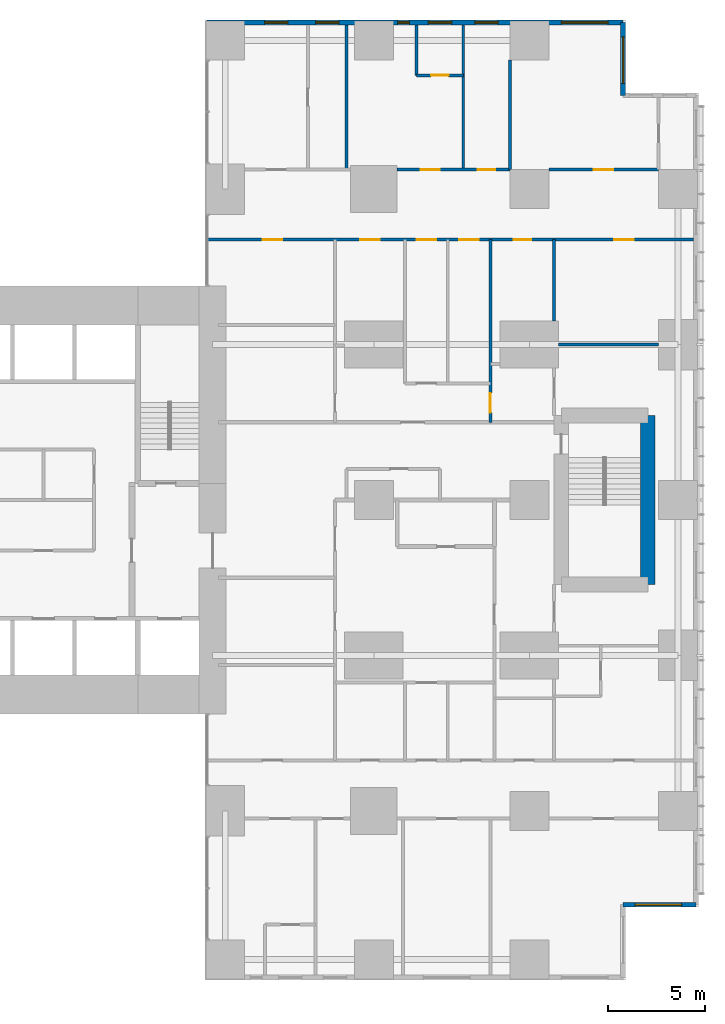
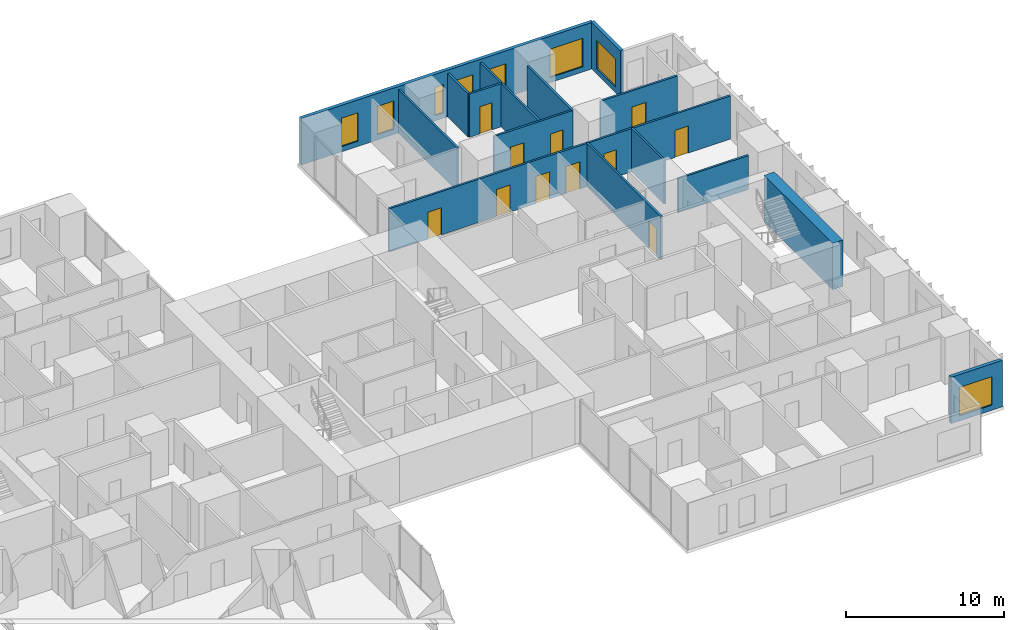
# One storey, part 18 of 20: 15 walls, 11 doors, 8 windows, 19 openings.
"""IFC4 building model written with IfcOpenShell, lengths in metres."""

from ifc_helpers import new_model, si_unit, direction, frame, frame_2d, origin, place, context, subcontext, project, spatial, rectangle, extrude, material, layer, layer_set, type_object, element, fill, save


model = new_model("IFC4")

# Units and contexts
model_context = context("Model", 3, precision=1e-05, world=origin(), true_north=direction((0.0, 1.0)))
body_context = subcontext(model_context, "Body", "Model", "MODEL_VIEW")
ifc_project = project(units=[si_unit("LENGTHUNIT", "METRE"), si_unit("AREAUNIT", "SQUARE_METRE"), si_unit("VOLUMEUNIT", "CUBIC_METRE"), si_unit("PLANEANGLEUNIT", "RADIAN"), si_unit("MASSUNIT", "GRAM", prefix="KILO")], contexts=[model_context])

# Site, building, storey
site_placement = place(None, origin())
site = spatial("IfcSite", under=ifc_project, at=site_placement, CompositionType="ELEMENT")
building_placement = place(site_placement, origin())
building = spatial("IfcBuilding", under=site, at=building_placement, Name="Cleftline Residences", CompositionType="ELEMENT")
storey_placement = place(building_placement, frame((0.0, 0.0, 107.0)))
storey = spatial("IfcBuildingStorey", under=building, at=storey_placement, Name="L27", CompositionType="ELEMENT", Elevation=107.0)

# Wall, opening, window
ifc_material_1 = material(Name="Rendered reinforced concrete blockwork", Category="masonry")
ifc_layer_1 = layer(ifc_material_1, 0.25)
ifc_layer_set_1 = layer_set([ifc_layer_1], Name="EXTERNAL WALL 250")
wall_type_1 = type_object("IfcWallType", Name="EXTERNAL WALL 250", PredefinedType="SOLIDWALL", material=ifc_layer_set_1)
wall_1_placement = place(storey_placement, frame((62.824951171875, 3.175048828125, 0.0), z_axis=(0.0, 0.0, 1.0), x_axis=(1.0, 0.0, 0.0)))
wall_1 = element("IfcWall", 1, at=wall_1_placement, inside=storey, type_object=wall_type_1, Name="External wall", PredefinedType="SOLIDWALL", context=body_context, shape_type="SweptSolid", body=[
    extrude(rectangle(XDim=3.75, YDim=0.25, at=frame_2d((1.875, 0.0))), origin(), (0.0, 0.0, 1.0), 3.60009765625),
])
opening_1_placement = place(wall_1_placement, frame((0.612548828125, 0.0, 0.39990234375)))
opening_1 = element("IfcOpeningElement", 2, at=opening_1_placement, cuts=wall_1, Name="Opening W12", PredefinedType="OPENING", context=body_context, shape_type="SweptSolid", body=[
    extrude(rectangle(XDim=2.39990234375, YDim=2.199951171875, at=frame_2d((1.199951171875, 1.10009765625))), frame((0.0, 0.135009765625, 0.0), z_axis=(0.0, -1.0, 0.0), x_axis=(1.0, 0.0, 0.0)), (0.0, 0.0, 1.0), 0.27001953125),
])
ifc_material_2 = material(Name="Aluminium frame, clear double glazing", Category="aluminium")
window_type_1 = type_object("IfcWindowType", Name="WINDOW 2400X2200", PartitioningType="DOUBLE_PANEL_VERTICAL", PredefinedType="WINDOW", material=ifc_material_2)
window_1_placement = place(opening_1_placement, origin())
window_1 = element("IfcWindow", 3, at=window_1_placement, inside=storey, type_object=window_type_1, Name="Window", OverallHeight=2.199951171875, OverallWidth=2.39990234375, PartitioningType="SINGLE_PANEL", PredefinedType="WINDOW", context=body_context, shape_type="SweptSolid", body=[
    extrude(rectangle(XDim=2.39990234375, YDim=2.199951171875, at=frame_2d((1.199951171875, 1.10009765625))), frame((0.0, 0.030029296875, 0.0), z_axis=(0.0, -1.0, 0.0), x_axis=(1.0, 0.0, 0.0)), (0.0, 0.0, 1.0), 0.06005859375),
])
fill(opening_1, window_1)

wall_2_placement = place(storey_placement, frame((62.824951171875, 44.824951171875, 0.0), z_axis=(0.0, 0.0, 1.0), x_axis=(0.0, 1.0, 0.0)))
wall_2 = element("IfcWall", 4, at=wall_2_placement, inside=storey, type_object=wall_type_1, Name="External wall", PredefinedType="SOLIDWALL", context=body_context, shape_type="SweptSolid", body=[
    extrude(rectangle(XDim=3.75, YDim=0.25, at=frame_2d((1.875, 0.0))), origin(), (0.0, 0.0, 1.0), 3.60009765625),
])
opening_2_placement = place(wall_2_placement, frame((0.612548828125, 0.0, 0.39990234375)))
opening_2 = element("IfcOpeningElement", 5, at=opening_2_placement, cuts=wall_2, Name="Opening W12", PredefinedType="OPENING", context=body_context, shape_type="SweptSolid", body=[
    extrude(rectangle(XDim=2.39990234375, YDim=2.199951171875, at=frame_2d((1.199951171875, 1.10009765625))), frame((0.0, 0.135009765625, 0.0), z_axis=(0.0, -1.0, 0.0), x_axis=(1.0, 0.0, 0.0)), (0.0, 0.0, 1.0), 0.27001953125),
])
window_2_placement = place(opening_2_placement, origin())
window_2 = element("IfcWindow", 6, at=window_2_placement, inside=storey, type_object=window_type_1, Name="Window", OverallHeight=2.199951171875, OverallWidth=2.39990234375, PartitioningType="SINGLE_PANEL", PredefinedType="WINDOW", context=body_context, shape_type="SweptSolid", body=[
    extrude(rectangle(XDim=2.39990234375, YDim=2.199951171875, at=frame_2d((1.199951171875, 1.10009765625))), frame((0.0, 0.030029296875, 0.0), z_axis=(0.0, -1.0, 0.0), x_axis=(1.0, 0.0, 0.0)), (0.0, 0.0, 1.0), 0.06005859375),
])
fill(opening_2, window_2)

# Wall, openings, windows
wall_3_placement = place(storey_placement, frame((62.824951171875, 48.574951171875, 0.0), z_axis=(0.0, 0.0, 1.0), x_axis=(-1.0, 0.0, 0.0)))
wall_3 = element("IfcWall", 7, at=wall_3_placement, inside=storey, type_object=wall_type_1, Name="External wall", PredefinedType="SOLIDWALL", context=body_context, shape_type="SweptSolid", body=[
    extrude(rectangle(XDim=21.39990234375, YDim=0.25, at=frame_2d((10.699951171875, 0.0))), origin(), (0.0, 0.0, 1.0), 3.60009765625),
])
opening_3_placement = place(wall_3_placement, frame((0.77490234375, 0.0, 0.39990234375)))
opening_3 = element("IfcOpeningElement", 8, at=opening_3_placement, cuts=wall_3, Name="Opening W12", PredefinedType="OPENING", context=body_context, shape_type="SweptSolid", body=[
    extrude(rectangle(XDim=2.39990234375, YDim=2.199951171875, at=frame_2d((1.199951171875, 1.10009765625))), frame((0.0, 0.135009765625, 0.0), z_axis=(0.0, -1.0, 0.0), x_axis=(1.0, 0.0, 0.0)), (0.0, 0.0, 1.0), 0.27001953125),
])
opening_4_placement = place(wall_3_placement, frame((6.425048828125, 0.0, 0.39990234375)))
opening_4 = element("IfcOpeningElement", 9, at=opening_4_placement, cuts=wall_3, Name="Opening W11", PredefinedType="OPENING", context=body_context, shape_type="SweptSolid", body=[
    extrude(rectangle(XDim=1.199951171875, YDim=2.199951171875, at=frame_2d((0.60009765625, 1.10009765625))), frame((0.0, 0.135009765625, 0.0), z_axis=(0.0, -1.0, 0.0), x_axis=(1.0, 0.0, 0.0)), (0.0, 0.0, 1.0), 0.27001953125),
])
opening_5_placement = place(wall_3_placement, frame((8.824951171875, 0.0, 0.39990234375)))
opening_5 = element("IfcOpeningElement", 10, at=opening_5_placement, cuts=wall_3, Name="Opening W11", PredefinedType="OPENING", context=body_context, shape_type="SweptSolid", body=[
    extrude(rectangle(XDim=1.199951171875, YDim=2.199951171875, at=frame_2d((0.60009765625, 1.10009765625))), frame((0.0, 0.135009765625, 0.0), z_axis=(0.0, -1.0, 0.0), x_axis=(1.0, 0.0, 0.0)), (0.0, 0.0, 1.0), 0.27001953125),
])
opening_6_placement = place(wall_3_placement, frame((11.0, 0.0, 0.39990234375)))
opening_6 = element("IfcOpeningElement", 11, at=opening_6_placement, cuts=wall_3, Name="Opening W10", PredefinedType="OPENING", context=body_context, shape_type="SweptSolid", body=[
    extrude(rectangle(XDim=0.60009765625, YDim=2.199951171875, at=frame_2d((0.300048828125, 1.10009765625))), frame((0.0, 0.135009765625, 0.0), z_axis=(0.0, -1.0, 0.0), x_axis=(1.0, 0.0, 0.0)), (0.0, 0.0, 1.0), 0.27001953125),
])
opening_7_placement = place(wall_3_placement, frame((14.625, 0.0, 0.39990234375)))
opening_7 = element("IfcOpeningElement", 12, at=opening_7_placement, cuts=wall_3, Name="Opening W11", PredefinedType="OPENING", context=body_context, shape_type="SweptSolid", body=[
    extrude(rectangle(XDim=1.199951171875, YDim=2.199951171875, at=frame_2d((0.60009765625, 1.10009765625))), frame((0.0, 0.135009765625, 0.0), z_axis=(0.0, -1.0, 0.0), x_axis=(1.0, 0.0, 0.0)), (0.0, 0.0, 1.0), 0.27001953125),
])
opening_8_placement = place(wall_3_placement, frame((17.25, 0.0, 0.39990234375)))
opening_8 = element("IfcOpeningElement", 13, at=opening_8_placement, cuts=wall_3, Name="Opening W11", PredefinedType="OPENING", context=body_context, shape_type="SweptSolid", body=[
    extrude(rectangle(XDim=1.199951171875, YDim=2.199951171875, at=frame_2d((0.60009765625, 1.10009765625))), frame((0.0, 0.135009765625, 0.0), z_axis=(0.0, -1.0, 0.0), x_axis=(1.0, 0.0, 0.0)), (0.0, 0.0, 1.0), 0.27001953125),
])
ifc_material_3 = material(Name="Aluminium frame, clear double glazing", Category="aluminium")
window_type_2 = type_object("IfcWindowType", Name="WINDOW 1200X2200", PartitioningType="DOUBLE_PANEL_VERTICAL", PredefinedType="WINDOW", material=ifc_material_3)
window_3_placement = place(opening_4_placement, origin())
window_3 = element("IfcWindow", 14, at=window_3_placement, inside=storey, type_object=window_type_2, Name="Window", OverallHeight=2.199951171875, OverallWidth=1.199951171875, PartitioningType="SINGLE_PANEL", PredefinedType="WINDOW", context=body_context, shape_type="SweptSolid", body=[
    extrude(rectangle(XDim=1.199951171875, YDim=2.199951171875, at=frame_2d((0.60009765625, 1.10009765625))), frame((0.0, 0.030029296875, 0.0), z_axis=(0.0, -1.0, 0.0), x_axis=(1.0, 0.0, 0.0)), (0.0, 0.0, 1.0), 0.06005859375),
])
fill(opening_4, window_3)
window_4_placement = place(opening_5_placement, origin())
window_4 = element("IfcWindow", 15, at=window_4_placement, inside=storey, type_object=window_type_2, Name="Window", OverallHeight=2.199951171875, OverallWidth=1.199951171875, PartitioningType="SINGLE_PANEL", PredefinedType="WINDOW", context=body_context, shape_type="SweptSolid", body=[
    extrude(rectangle(XDim=1.199951171875, YDim=2.199951171875, at=frame_2d((0.60009765625, 1.10009765625))), frame((0.0, 0.030029296875, 0.0), z_axis=(0.0, -1.0, 0.0), x_axis=(1.0, 0.0, 0.0)), (0.0, 0.0, 1.0), 0.06005859375),
])
fill(opening_5, window_4)
window_5_placement = place(opening_7_placement, origin())
window_5 = element("IfcWindow", 16, at=window_5_placement, inside=storey, type_object=window_type_2, Name="Window", OverallHeight=2.199951171875, OverallWidth=1.199951171875, PartitioningType="SINGLE_PANEL", PredefinedType="WINDOW", context=body_context, shape_type="SweptSolid", body=[
    extrude(rectangle(XDim=1.199951171875, YDim=2.199951171875, at=frame_2d((0.60009765625, 1.10009765625))), frame((0.0, 0.030029296875, 0.0), z_axis=(0.0, -1.0, 0.0), x_axis=(1.0, 0.0, 0.0)), (0.0, 0.0, 1.0), 0.06005859375),
])
fill(opening_7, window_5)
window_6_placement = place(opening_8_placement, origin())
window_6 = element("IfcWindow", 17, at=window_6_placement, inside=storey, type_object=window_type_2, Name="Window", OverallHeight=2.199951171875, OverallWidth=1.199951171875, PartitioningType="SINGLE_PANEL", PredefinedType="WINDOW", context=body_context, shape_type="SweptSolid", body=[
    extrude(rectangle(XDim=1.199951171875, YDim=2.199951171875, at=frame_2d((0.60009765625, 1.10009765625))), frame((0.0, 0.030029296875, 0.0), z_axis=(0.0, -1.0, 0.0), x_axis=(1.0, 0.0, 0.0)), (0.0, 0.0, 1.0), 0.06005859375),
])
fill(opening_8, window_6)
window_7_placement = place(opening_3_placement, origin())
window_7 = element("IfcWindow", 18, at=window_7_placement, inside=storey, type_object=window_type_1, Name="Window", OverallHeight=2.199951171875, OverallWidth=2.39990234375, PartitioningType="SINGLE_PANEL", PredefinedType="WINDOW", context=body_context, shape_type="SweptSolid", body=[
    extrude(rectangle(XDim=2.39990234375, YDim=2.199951171875, at=frame_2d((1.199951171875, 1.10009765625))), frame((0.0, 0.030029296875, 0.0), z_axis=(0.0, -1.0, 0.0), x_axis=(1.0, 0.0, 0.0)), (0.0, 0.0, 1.0), 0.06005859375),
])
fill(opening_3, window_7)
ifc_material_4 = material(Name="Aluminium frame, clear double glazing", Category="aluminium")
window_type_3 = type_object("IfcWindowType", Name="WINDOW 600X2200", PartitioningType="DOUBLE_PANEL_VERTICAL", PredefinedType="WINDOW", material=ifc_material_4)
window_8_placement = place(opening_6_placement, origin())
window_8 = element("IfcWindow", 19, at=window_8_placement, inside=storey, type_object=window_type_3, Name="Window", OverallHeight=2.199951171875, OverallWidth=0.60009765625, PartitioningType="SINGLE_PANEL", PredefinedType="WINDOW", context=body_context, shape_type="SweptSolid", body=[
    extrude(rectangle(XDim=0.60009765625, YDim=2.199951171875, at=frame_2d((0.300048828125, 1.10009765625))), frame((0.0, 0.030029296875, 0.0), z_axis=(0.0, -1.0, 0.0), x_axis=(1.0, 0.0, 0.0)), (0.0, 0.0, 1.0), 0.06005859375),
])
fill(opening_6, window_8)

# Wall
ifc_material_5 = material(Name="Gypsum board on steel studs", Category="steel")
ifc_layer_2 = layer(ifc_material_5, 0.14990234375)
ifc_layer_set_2 = layer_set([ifc_layer_2], Name="PARTITION 150")
wall_type_2 = type_object("IfcWallType", Name="PARTITION 150", PredefinedType="PARTITIONING", material=ifc_layer_set_2)
wall_4_placement = place(storey_placement, frame((59.5, 32.0, 0.0), z_axis=(0.0, 0.0, 1.0), x_axis=(1.0, 0.0, 0.0)))
element("IfcWall", 20, at=wall_4_placement, inside=storey, type_object=wall_type_2, Name="Partition", PredefinedType="PARTITIONING", context=body_context, shape_type="SweptSolid", body=[
    extrude(rectangle(XDim=5.14990234375, YDim=0.14990234375, at=frame_2d((2.574951171875, 0.0))), origin(), (0.0, 0.0, 1.0), 2.634033203125),
])

# Wall, openings, doors
wall_5_placement = place(storey_placement, frame((41.43896484375, 37.39990234375, 0.0), z_axis=(0.0, 0.0, 1.0), x_axis=(1.0, 0.0, 0.0)))
wall_5 = element("IfcWall", 21, at=wall_5_placement, inside=storey, type_object=wall_type_2, Name="Partition", PredefinedType="PARTITIONING", context=body_context, shape_type="SweptSolid", body=[
    extrude(rectangle(XDim=25.010986328125, YDim=0.14990234375, at=frame_2d((12.50537109375, 0.0))), origin(), (0.0, 0.0, 1.0), 3.35009765625),
])
opening_9_placement = place(wall_5_placement, frame((10.760986328125, 0.0, 0.0)))
opening_9 = element("IfcOpeningElement", 22, at=opening_9_placement, cuts=wall_5, Name="Opening D2", PredefinedType="OPENING", context=body_context, shape_type="SweptSolid", body=[
    extrude(rectangle(XDim=1.0, YDim=2.10009765625, at=frame_2d((0.5, 1.050048828125))), frame((0.0, 0.0849609375, 0.0), z_axis=(0.0, -1.0, 0.0), x_axis=(1.0, 0.0, 0.0)), (0.0, 0.0, 1.0), 0.169921875),
])
opening_10_placement = place(wall_5_placement, frame((20.923583984375, 0.0, 0.0)))
opening_10 = element("IfcOpeningElement", 23, at=opening_10_placement, cuts=wall_5, Name="Opening D2", PredefinedType="OPENING", context=body_context, shape_type="SweptSolid", body=[
    extrude(rectangle(XDim=1.0, YDim=2.10009765625, at=frame_2d((0.5, 1.050048828125))), frame((0.0, 0.0849609375, 0.0), z_axis=(0.0, -1.0, 0.0), x_axis=(1.0, 0.0, 0.0)), (0.0, 0.0, 1.0), 0.169921875),
])
opening_11_placement = place(wall_5_placement, frame((15.74853515625, 0.0, 0.0)))
opening_11 = element("IfcOpeningElement", 24, at=opening_11_placement, cuts=wall_5, Name="Opening D1", PredefinedType="OPENING", context=body_context, shape_type="SweptSolid", body=[
    extrude(rectangle(XDim=0.89990234375, YDim=2.10009765625, at=frame_2d((0.449951171875, 1.050048828125))), frame((0.0, 0.0849609375, 0.0), z_axis=(0.0, -1.0, 0.0), x_axis=(1.0, 0.0, 0.0)), (0.0, 0.0, 1.0), 0.169921875),
])
opening_12_placement = place(wall_5_placement, frame((12.9609375, 0.0, 0.0)))
opening_12 = element("IfcOpeningElement", 25, at=opening_12_placement, cuts=wall_5, Name="Opening D2", PredefinedType="OPENING", context=body_context, shape_type="SweptSolid", body=[
    extrude(rectangle(XDim=1.0, YDim=2.10009765625, at=frame_2d((0.5, 1.050048828125))), frame((0.0, 0.0849609375, 0.0), z_axis=(0.0, -1.0, 0.0), x_axis=(1.0, 0.0, 0.0)), (0.0, 0.0, 1.0), 0.169921875),
])
opening_13_placement = place(wall_5_placement, frame((7.861083984375, 0.0, 0.0)))
opening_13 = element("IfcOpeningElement", 26, at=opening_13_placement, cuts=wall_5, Name="Opening D2", PredefinedType="OPENING", context=body_context, shape_type="SweptSolid", body=[
    extrude(rectangle(XDim=1.0, YDim=2.10009765625, at=frame_2d((0.5, 1.050048828125))), frame((0.0, 0.0849609375, 0.0), z_axis=(0.0, -1.0, 0.0), x_axis=(1.0, 0.0, 0.0)), (0.0, 0.0, 1.0), 0.169921875),
])
opening_14_placement = place(wall_5_placement, frame((2.8359375, 0.0, 0.0)))
opening_14 = element("IfcOpeningElement", 27, at=opening_14_placement, cuts=wall_5, Name="Opening D2", PredefinedType="OPENING", context=body_context, shape_type="SweptSolid", body=[
    extrude(rectangle(XDim=1.0, YDim=2.10009765625, at=frame_2d((0.5, 1.050048828125))), frame((0.0, 0.0849609375, 0.0), z_axis=(0.0, -1.0, 0.0), x_axis=(1.0, 0.0, 0.0)), (0.0, 0.0, 1.0), 0.169921875),
])
ifc_material_6 = material(Name="Timber veneer on solid core", Category="wood")
door_type_1 = type_object("IfcDoorType", Name="DOOR 1000X2100", OperationType="SINGLE_SWING_LEFT", PredefinedType="DOOR", material=ifc_material_6)
door_1_placement = place(opening_9_placement, origin())
door_1 = element("IfcDoor", 28, at=door_1_placement, inside=storey, type_object=door_type_1, Name="Door to residence hall", OperationType="SINGLE_SWING_RIGHT", OverallHeight=2.10009765625, OverallWidth=1.0, PredefinedType="DOOR", context=body_context, shape_type="SweptSolid", body=[
    extrude(rectangle(XDim=1.0, YDim=2.10009765625, at=frame_2d((0.5, 1.050048828125))), frame((0.0, 0.02490234375, 0.0), z_axis=(0.0, -1.0, 0.0), x_axis=(1.0, 0.0, 0.0)), (0.0, 0.0, 1.0), 0.050048828125),
])
fill(opening_9, door_1)
door_2_placement = place(opening_10_placement, origin())
door_2 = element("IfcDoor", 29, at=door_2_placement, inside=storey, type_object=door_type_1, Name="Door to sea-view living room", OperationType="SINGLE_SWING_LEFT", OverallHeight=2.10009765625, OverallWidth=1.0, PredefinedType="DOOR", context=body_context, shape_type="SweptSolid", body=[
    extrude(rectangle(XDim=1.0, YDim=2.10009765625, at=frame_2d((0.5, 1.050048828125))), frame((0.0, 0.02490234375, 0.0), z_axis=(0.0, -1.0, 0.0), x_axis=(1.0, 0.0, 0.0)), (0.0, 0.0, 1.0), 0.050048828125),
])
fill(opening_10, door_2)
door_3_placement = place(opening_12_placement, origin())
door_3 = element("IfcDoor", 30, at=door_3_placement, inside=storey, type_object=door_type_1, Name="Door to show kitchen", OperationType="SINGLE_SWING_LEFT", OverallHeight=2.10009765625, OverallWidth=1.0, PredefinedType="DOOR", context=body_context, shape_type="SweptSolid", body=[
    extrude(rectangle(XDim=1.0, YDim=2.10009765625, at=frame_2d((0.5, 1.050048828125))), frame((0.0, 0.02490234375, 0.0), z_axis=(0.0, -1.0, 0.0), x_axis=(1.0, 0.0, 0.0)), (0.0, 0.0, 1.0), 0.050048828125),
])
fill(opening_12, door_3)
door_4_placement = place(opening_13_placement, origin())
door_4 = element("IfcDoor", 31, at=door_4_placement, inside=storey, type_object=door_type_1, Name="Door to wet kitchen", OperationType="SINGLE_SWING_RIGHT", OverallHeight=2.10009765625, OverallWidth=1.0, PredefinedType="DOOR", context=body_context, shape_type="SweptSolid", body=[
    extrude(rectangle(XDim=1.0, YDim=2.10009765625, at=frame_2d((0.5, 1.050048828125))), frame((0.0, 0.02490234375, 0.0), z_axis=(0.0, -1.0, 0.0), x_axis=(1.0, 0.0, 0.0)), (0.0, 0.0, 1.0), 0.050048828125),
])
fill(opening_13, door_4)
door_5_placement = place(opening_14_placement, origin())
door_5 = element("IfcDoor", 32, at=door_5_placement, inside=storey, type_object=door_type_1, Name="Door to study", OperationType="SINGLE_SWING_RIGHT", OverallHeight=2.10009765625, OverallWidth=1.0, PredefinedType="DOOR", context=body_context, shape_type="SweptSolid", body=[
    extrude(rectangle(XDim=1.0, YDim=2.10009765625, at=frame_2d((0.5, 1.050048828125))), frame((0.0, 0.02490234375, 0.0), z_axis=(0.0, -1.0, 0.0), x_axis=(1.0, 0.0, 0.0)), (0.0, 0.0, 1.0), 0.050048828125),
])
fill(opening_14, door_5)
ifc_material_7 = material(Name="Timber veneer on solid core", Category="wood")
door_type_2 = type_object("IfcDoorType", Name="DOOR 900X2100", OperationType="SINGLE_SWING_LEFT", PredefinedType="DOOR", material=ifc_material_7)
door_6_placement = place(opening_11_placement, origin())
door_6 = element("IfcDoor", 33, at=door_6_placement, inside=storey, type_object=door_type_2, Name="Door to master bathroom", OperationType="SINGLE_SWING_LEFT", OverallHeight=2.10009765625, OverallWidth=0.89990234375, PredefinedType="DOOR", context=body_context, shape_type="SweptSolid", body=[
    extrude(rectangle(XDim=0.89990234375, YDim=2.10009765625, at=frame_2d((0.449951171875, 1.050048828125))), frame((0.0, 0.02490234375, 0.0), z_axis=(0.0, -1.0, 0.0), x_axis=(1.0, 0.0, 0.0)), (0.0, 0.0, 1.0), 0.050048828125),
])
fill(opening_11, door_6)

wall_6_placement = place(storey_placement, frame((51.199951171875, 41.0, 0.0), z_axis=(0.0, 0.0, 1.0), x_axis=(1.0, 0.0, 0.0)))
wall_6 = element("IfcWall", 34, at=wall_6_placement, inside=storey, type_object=wall_type_2, Name="Partition", PredefinedType="PARTITIONING", context=body_context, shape_type="SweptSolid", body=[
    extrude(rectangle(XDim=5.800048828125, YDim=0.14990234375, at=frame_2d((2.89990234375, 0.0))), origin(), (0.0, 0.0, 1.0), 3.35009765625),
])
opening_15_placement = place(wall_6_placement, frame((4.14990234375, 0.0, 0.0)))
opening_15 = element("IfcOpeningElement", 35, at=opening_15_placement, cuts=wall_6, Name="Opening D1", PredefinedType="OPENING", context=body_context, shape_type="SweptSolid", body=[
    extrude(rectangle(XDim=0.89990234375, YDim=2.10009765625, at=frame_2d((0.449951171875, 1.050048828125))), frame((0.0, 0.0849609375, 0.0), z_axis=(0.0, -1.0, 0.0), x_axis=(1.0, 0.0, 0.0)), (0.0, 0.0, 1.0), 0.169921875),
])
opening_16_placement = place(wall_6_placement, frame((1.199951171875, 0.0, 0.0)))
opening_16 = element("IfcOpeningElement", 36, at=opening_16_placement, cuts=wall_6, Name="Opening D2", PredefinedType="OPENING", context=body_context, shape_type="SweptSolid", body=[
    extrude(rectangle(XDim=1.0, YDim=2.10009765625, at=frame_2d((0.5, 1.050048828125))), frame((0.0, 0.0849609375, 0.0), z_axis=(0.0, -1.0, 0.0), x_axis=(1.0, 0.0, 0.0)), (0.0, 0.0, 1.0), 0.169921875),
])
door_7_placement = place(opening_16_placement, origin())
door_7 = element("IfcDoor", 37, at=door_7_placement, inside=storey, type_object=door_type_1, Name="Door to bedroom 2", OperationType="SINGLE_SWING_RIGHT", OverallHeight=2.10009765625, OverallWidth=1.0, PredefinedType="DOOR", context=body_context, shape_type="SweptSolid", body=[
    extrude(rectangle(XDim=1.0, YDim=2.10009765625, at=frame_2d((0.5, 1.050048828125))), frame((0.0, 0.02490234375, 0.0), z_axis=(0.0, -1.0, 0.0), x_axis=(1.0, 0.0, 0.0)), (0.0, 0.0, 1.0), 0.050048828125),
])
fill(opening_16, door_7)
door_8_placement = place(opening_15_placement, origin())
door_8 = element("IfcDoor", 38, at=door_8_placement, inside=storey, type_object=door_type_2, Name="Door to master dressing room", OperationType="SINGLE_SWING_LEFT", OverallHeight=2.10009765625, OverallWidth=0.89990234375, PredefinedType="DOOR", context=body_context, shape_type="SweptSolid", body=[
    extrude(rectangle(XDim=0.89990234375, YDim=2.10009765625, at=frame_2d((0.449951171875, 1.050048828125))), frame((0.0, 0.02490234375, 0.0), z_axis=(0.0, -1.0, 0.0), x_axis=(1.0, 0.0, 0.0)), (0.0, 0.0, 1.0), 0.050048828125),
])
fill(opening_15, door_8)

# Wall, opening, door
wall_7_placement = place(storey_placement, frame((59.0, 41.0, 0.0), z_axis=(0.0, 0.0, 1.0), x_axis=(1.0, 0.0, 0.0)))
wall_7 = element("IfcWall", 39, at=wall_7_placement, inside=storey, type_object=wall_type_2, Name="Partition", PredefinedType="PARTITIONING", context=body_context, shape_type="SweptSolid", body=[
    extrude(rectangle(XDim=5.64990234375, YDim=0.14990234375, at=frame_2d((2.824951171875, 0.0))), origin(), (0.0, 0.0, 1.0), 3.35009765625),
])
opening_17_placement = place(wall_7_placement, frame((2.324951171875, 0.0, 0.0)))
opening_17 = element("IfcOpeningElement", 40, at=opening_17_placement, cuts=wall_7, Name="Opening D2", PredefinedType="OPENING", context=body_context, shape_type="SweptSolid", body=[
    extrude(rectangle(XDim=1.0, YDim=2.10009765625, at=frame_2d((0.5, 1.050048828125))), frame((0.0, 0.0849609375, 0.0), z_axis=(0.0, -1.0, 0.0), x_axis=(1.0, 0.0, 0.0)), (0.0, 0.0, 1.0), 0.169921875),
])
door_9_placement = place(opening_17_placement, origin())
door_9 = element("IfcDoor", 41, at=door_9_placement, inside=storey, type_object=door_type_1, Name="Door to master bedroom", OperationType="SINGLE_SWING_LEFT", OverallHeight=2.10009765625, OverallWidth=1.0, PredefinedType="DOOR", context=body_context, shape_type="SweptSolid", body=[
    extrude(rectangle(XDim=1.0, YDim=2.10009765625, at=frame_2d((0.5, 1.050048828125))), frame((0.0, 0.02490234375, 0.0), z_axis=(0.0, -1.0, 0.0), x_axis=(1.0, 0.0, 0.0)), (0.0, 0.0, 1.0), 0.050048828125),
])
fill(opening_17, door_9)

wall_8_placement = place(storey_placement, frame((52.199951171875, 45.85009765625, 0.0), z_axis=(0.0, 0.0, 1.0), x_axis=(1.0, 0.0, 0.0)))
wall_8 = element("IfcWall", 42, at=wall_8_placement, inside=storey, type_object=wall_type_2, Name="Partition", PredefinedType="PARTITIONING", context=body_context, shape_type="SweptSolid", body=[
    extrude(rectangle(XDim=2.400146484375, YDim=0.14990234375, at=frame_2d((1.2001953125, 0.0))), origin(), (0.0, 0.0, 1.0), 3.35009765625),
])
opening_18_placement = place(wall_8_placement, frame((0.75, 0.0, 0.0)))
opening_18 = element("IfcOpeningElement", 43, at=opening_18_placement, cuts=wall_8, Name="Opening D1", PredefinedType="OPENING", context=body_context, shape_type="SweptSolid", body=[
    extrude(rectangle(XDim=0.89990234375, YDim=2.10009765625, at=frame_2d((0.449951171875, 1.050048828125))), frame((0.0, 0.0849609375, 0.0), z_axis=(0.0, -1.0, 0.0), x_axis=(1.0, 0.0, 0.0)), (0.0, 0.0, 1.0), 0.169921875),
])
door_10_placement = place(opening_18_placement, origin())
door_10 = element("IfcDoor", 44, at=door_10_placement, inside=storey, type_object=door_type_2, Name="Door to en-suite bathroom 2", OperationType="SINGLE_SWING_LEFT", OverallHeight=2.10009765625, OverallWidth=0.89990234375, PredefinedType="DOOR", context=body_context, shape_type="SweptSolid", body=[
    extrude(rectangle(XDim=0.89990234375, YDim=2.10009765625, at=frame_2d((0.449951171875, 1.050048828125))), frame((0.0, 0.02490234375, 0.0), z_axis=(0.0, -1.0, 0.0), x_axis=(1.0, 0.0, 0.0)), (0.0, 0.0, 1.0), 0.050048828125),
])
fill(opening_18, door_10)

# Walls
wall_9_placement = place(storey_placement, frame((48.60009765625, 41.0, 0.0), z_axis=(0.0, 0.0, 1.0), x_axis=(0.0, 1.0, 0.0)))
element("IfcWall", 45, at=wall_9_placement, inside=storey, type_object=wall_type_2, Name="Partition", PredefinedType="PARTITIONING", context=body_context, shape_type="SweptSolid", body=[
    extrude(rectangle(XDim=7.449951171875, YDim=0.14990234375, at=frame_2d((3.72509765625, 0.0))), origin(), (0.0, 0.0, 1.0), 3.35009765625),
])
wall_10_placement = place(storey_placement, frame((52.199951171875, 45.85009765625, 0.0), z_axis=(0.0, 0.0, 1.0), x_axis=(0.0, 1.0, 0.0)))
element("IfcWall", 46, at=wall_10_placement, inside=storey, type_object=wall_type_2, Name="Partition", PredefinedType="PARTITIONING", context=body_context, shape_type="SweptSolid", body=[
    extrude(rectangle(XDim=2.599853515625, YDim=0.14990234375, at=frame_2d((1.2998046875, 0.0))), origin(), (0.0, 0.0, 1.0), 3.35009765625),
])
wall_11_placement = place(storey_placement, frame((54.60009765625, 41.0, 0.0), z_axis=(0.0, 0.0, 1.0), x_axis=(0.0, 1.0, 0.0)))
element("IfcWall", 47, at=wall_11_placement, inside=storey, type_object=wall_type_2, Name="Partition", PredefinedType="PARTITIONING", context=body_context, shape_type="SweptSolid", body=[
    extrude(rectangle(XDim=7.449951171875, YDim=0.14990234375, at=frame_2d((3.72509765625, 0.0))), origin(), (0.0, 0.0, 1.0), 3.35009765625),
])

# Wall, opening, door
wall_12_placement = place(storey_placement, frame((56.0, 28.0, 0.0), z_axis=(0.0, 0.0, 1.0), x_axis=(0.0, 1.0, 0.0)))
wall_12 = element("IfcWall", 48, at=wall_12_placement, inside=storey, type_object=wall_type_2, Name="Partition", PredefinedType="PARTITIONING", context=body_context, shape_type="SweptSolid", body=[
    extrude(rectangle(XDim=9.39990234375, YDim=0.14990234375, at=frame_2d((4.699951171875, 0.0))), origin(), (0.0, 0.0, 1.0), 3.35009765625),
])
opening_19_placement = place(wall_12_placement, frame((0.5, 0.0, 0.0)))
opening_19 = element("IfcOpeningElement", 49, at=opening_19_placement, cuts=wall_12, Name="Opening D2F30", PredefinedType="OPENING", context=body_context, shape_type="SweptSolid", body=[
    extrude(rectangle(XDim=1.0, YDim=2.10009765625, at=frame_2d((0.5, 1.050048828125))), frame((0.0, 0.0849609375, 0.0), z_axis=(0.0, -1.0, 0.0), x_axis=(1.0, 0.0, 0.0)), (0.0, 0.0, 1.0), 0.169921875),
])
ifc_material_8 = material(Name="Timber veneer on solid core", Category="wood")
door_type_3 = type_object("IfcDoorType", Name="DOOR 1000X2100 EI 30", OperationType="SINGLE_SWING_LEFT", PredefinedType="DOOR", material=ifc_material_8)
door_11_placement = place(opening_19_placement, origin())
door_11 = element("IfcDoor", 50, at=door_11_placement, inside=storey, type_object=door_type_3, Name="Door to residence lobby (service)", OperationType="SINGLE_SWING_RIGHT", OverallHeight=2.10009765625, OverallWidth=1.0, PredefinedType="DOOR", context=body_context, shape_type="SweptSolid", body=[
    extrude(rectangle(XDim=1.0, YDim=2.10009765625, at=frame_2d((0.5, 1.050048828125))), frame((0.0, 0.02490234375, 0.0), z_axis=(0.0, -1.0, 0.0), x_axis=(1.0, 0.0, 0.0)), (0.0, 0.0, 1.0), 0.050048828125),
])
fill(opening_19, door_11)

# Walls
wall_13_placement = place(storey_placement, frame((57.0, 41.0, 0.0), z_axis=(0.0, 0.0, 1.0), x_axis=(0.0, 1.0, 0.0)))
element("IfcWall", 51, at=wall_13_placement, inside=storey, type_object=wall_type_2, Name="Partition", PredefinedType="PARTITIONING", context=body_context, shape_type="SweptSolid", body=[
    extrude(rectangle(XDim=5.64990234375, YDim=0.14990234375, at=frame_2d((2.824951171875, 0.0))), origin(), (0.0, 0.0, 1.0), 3.35009765625),
])
wall_14_placement = place(storey_placement, frame((59.27490234375, 33.199951171875, 0.0), z_axis=(0.0, 0.0, 1.0), x_axis=(0.0, 1.0, 0.0)))
element("IfcWall", 52, at=wall_14_placement, inside=storey, type_object=wall_type_2, Name="Partition", PredefinedType="PARTITIONING", context=body_context, shape_type="SweptSolid", body=[
    extrude(rectangle(XDim=4.199951171875, YDim=0.14990234375, at=frame_2d((2.10009765625, 0.0))), origin(), (0.0, 0.0, 1.0), 3.35009765625),
])
ifc_material_9 = material(Name="Concrete B70", Category="concrete")
ifc_layer_3 = layer(ifc_material_9, 0.75)
ifc_layer_set_3 = layer_set([ifc_layer_3], Name="SHEAR WALL 750")
wall_type_3 = type_object("IfcWallType", Name="SHEAR WALL 750", PredefinedType="SHEAR", material=ifc_layer_set_3)
wall_15_placement = place(storey_placement, frame((64.10009765625, 19.64990234375, 0.0), z_axis=(0.0, 0.0, 1.0), x_axis=(0.0, 1.0, 0.0)))
element("IfcWall", 53, at=wall_15_placement, inside=storey, type_object=wall_type_3, Name="Wing shear wall", PredefinedType="SHEAR", context=body_context, shape_type="SweptSolid", body=[
    extrude(rectangle(XDim=8.7001953125, YDim=0.75, at=frame_2d((4.35009765625, 0.0))), origin(), (0.0, 0.0, 1.0), 3.60009765625),
])

save(model, "model.ifc")
